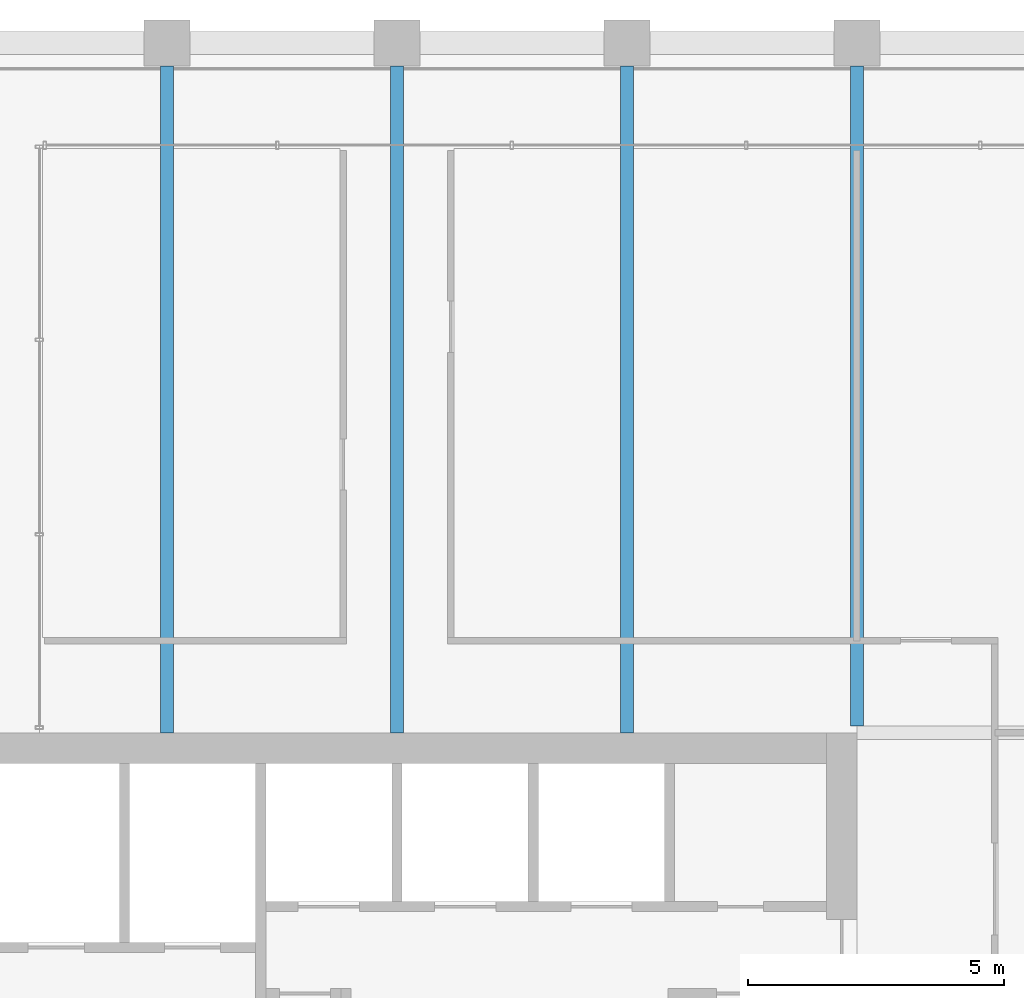
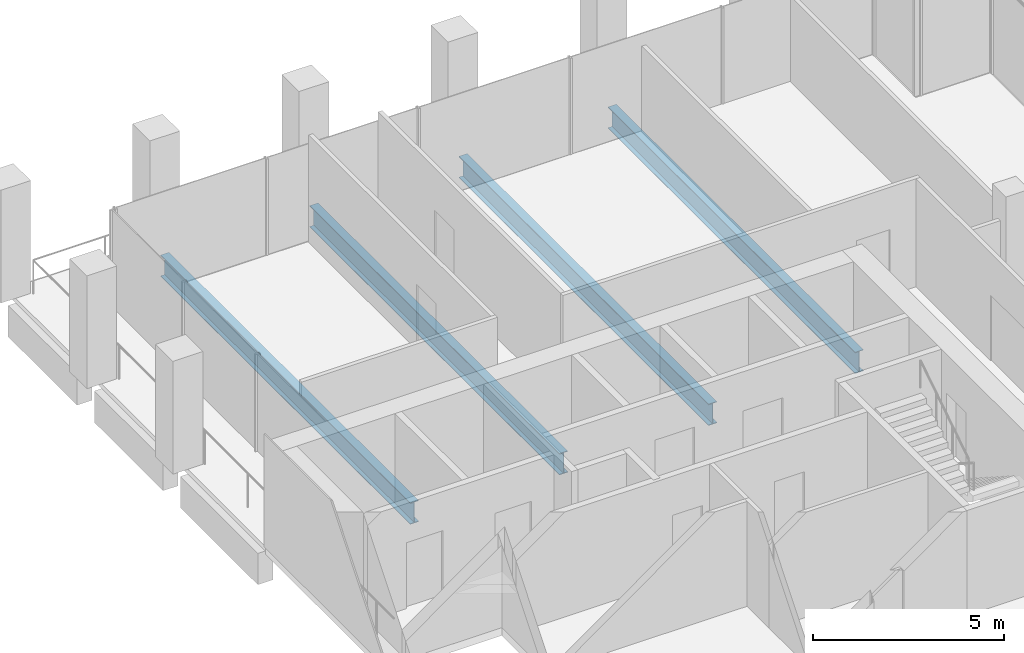
# One storey, part 22 of 40: 4 beams.
"""IFC4 building model written with IfcOpenShell, lengths in metres."""

from ifc_helpers import new_model, si_unit, direction, frame, origin, origin_2d, place, context, subcontext, project, spatial, i_section, extrude, material, material_profile, profile_set, type_object, element, save


model = new_model("IFC4")

# Units and contexts
model_context = context("Model", 3, precision=1e-05, world=origin(), true_north=direction((0.0, 1.0)))
body_context = subcontext(model_context, "Body", "Model", "MODEL_VIEW")
ifc_project = project(units=[si_unit("LENGTHUNIT", "METRE"), si_unit("AREAUNIT", "SQUARE_METRE"), si_unit("VOLUMEUNIT", "CUBIC_METRE"), si_unit("PLANEANGLEUNIT", "RADIAN"), si_unit("MASSUNIT", "GRAM", prefix="KILO")], contexts=[model_context])

# Site, building, storey
site_placement = place(None, origin())
site = spatial("IfcSite", under=ifc_project, at=site_placement, CompositionType="ELEMENT")
building_placement = place(site_placement, origin())
building = spatial("IfcBuilding", under=site, at=building_placement, Name="Altepetl Exchange Towers", CompositionType="ELEMENT")
storey_placement = place(building_placement, frame((0.0, 0.0, 183.39990234375)))
storey = spatial("IfcBuildingStorey", under=building, at=storey_placement, Name="L46", CompositionType="ELEMENT", Elevation=183.39990234375)

# Beams
ifc_material = material(Name="Steel S355", Category="steel")
ifc_material_profile = material_profile(ifc_material, i_section(OverallWidth=0.25390625, OverallDepth=0.68408203125, WebThickness=0.012451171875, FlangeThickness=0.018798828125, at=origin_2d()), Name="W27X94")
ifc_profile_set = profile_set([ifc_material_profile], Name="Steel S355")
beam_type = type_object("IfcBeamType", Name="Floor beam W27X94", PredefinedType="BEAM", material=ifc_profile_set)
for number, where, z_axis, x_axis, name in (
    (1, (45.0, 58.5, -0.491943359375), (0.0, 1.0, 0.0), (-1.0, 0.0, 0.0), "bm:A:L46:000"),
    (2, (49.5, 58.5, -0.491943359375), (0.0, 1.0, 0.0), (-1.0, 0.0, 0.0), "bm:A:L46:001"),
    (3, (54.0, 58.5, -0.491943359375), (0.0, 1.0, 0.0), (-1.0, 0.0, 0.0), "bm:A:L46:002"),
):
    element("IfcBeam", number, at=place(storey_placement, frame(where, z_axis=z_axis, x_axis=x_axis)), inside=storey, type_object=beam_type, Name=name, PredefinedType="BEAM", context=body_context, shape_type="SweptSolid", body=[
        extrude(i_section(OverallWidth=0.25390625, OverallDepth=0.68408203125, WebThickness=0.012451171875, FlangeThickness=0.018798828125, at=origin_2d()), origin(), (0.0, 0.0, 1.0), 13.050048828125),
    ])
beam_placement = place(storey_placement, frame((58.5, 58.634033203125, -0.491943359375), z_axis=(0.0, 1.0, 0.0), x_axis=(-1.0, 0.0, 0.0)))
element("IfcBeam", 4, at=beam_placement, inside=storey, type_object=beam_type, Name="bm:A:L46:003", PredefinedType="BEAM", context=body_context, shape_type="SweptSolid", body=[
    extrude(i_section(OverallWidth=0.25390625, OverallDepth=0.68408203125, WebThickness=0.012451171875, FlangeThickness=0.018798828125, at=origin_2d()), origin(), (0.0, 0.0, 1.0), 12.916015625),
])

save(model, "model.ifc")
